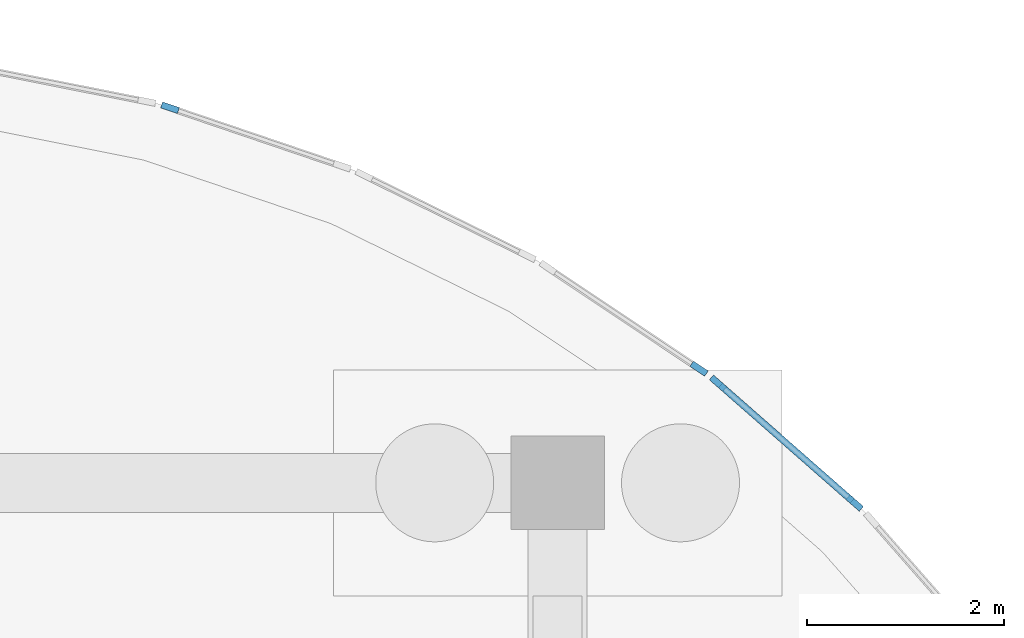
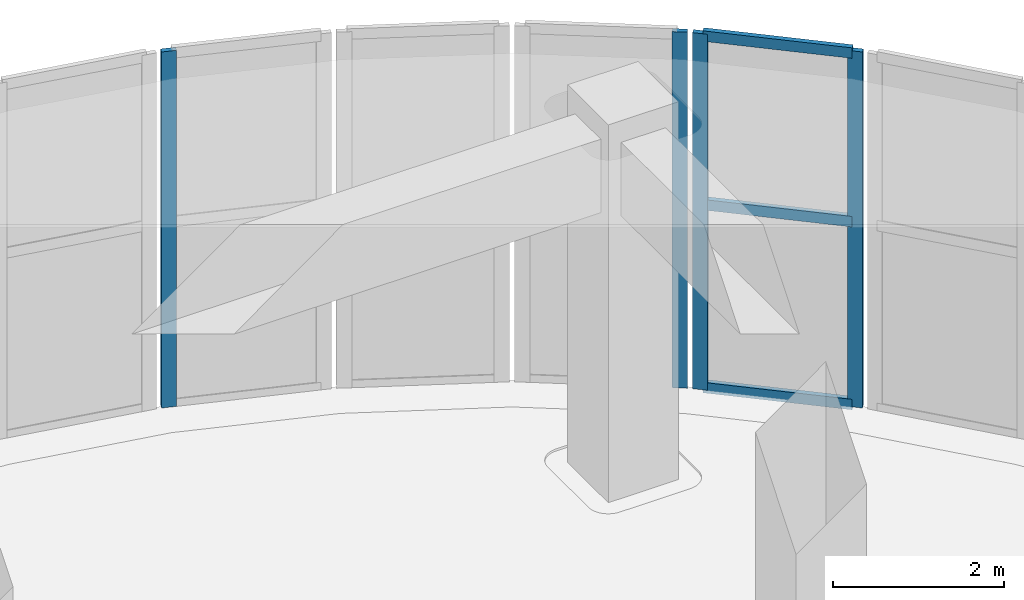
# One storey, part 19 of 74: 7 members, 3 elements without a shape of their own.
"""IFC4 building model written with IfcOpenShell, lengths in metres."""

import ifcopenshell
import ifcopenshell.guid

model = None  # the IFC model being written
_history = None  # IfcOwnerHistory: only IFC2X3 demands one
_inside = {}  # id of a spatial element -> (the spatial element, [elements in it])
_under = {}  # id of a project, library or spatial element -> (it, [spatial elements below it])
_declared = {}  # id of a project -> (the project, [libraries it declares])
_typed = {}  # id of a type object -> (the type object, [elements of that type])
_made_of = {}  # id of a material, layer set ... -> (it, [elements and type objects made of it])


def new_model(schema):
    """Start an empty IFC model of exactly this schema.

    Asked for "IFC4X3", IfcOpenShell would pick the latest addendum, in which some entities
    have other attributes; the version numbers below select the first issue.
    IFC2X3 requires an IfcOwnerHistory on every rooted entity: one is made here for all.
    """
    global model, _history
    if schema == "IFC4X3":
        model = ifcopenshell.file(schema_version=(4, 3, 0, 0))
    else:
        model = ifcopenshell.file(schema=schema)
    _inside.clear()
    _under.clear()
    _declared.clear()
    _typed.clear()
    _made_of.clear()
    _history = None
    if model.schema == "IFC2X3":
        org = make("IfcOrganization", Name="unknown")
        user = make(
            "IfcPersonAndOrganization",
            ThePerson=make("IfcPerson", FamilyName="unknown"),
            TheOrganization=org,
        )
        app = make(
            "IfcApplication",
            ApplicationDeveloper=org,
            Version="unknown",
            ApplicationFullName="unknown",
            ApplicationIdentifier="unknown",
        )
        _history = make(
            "IfcOwnerHistory",
            OwningUser=user,
            OwningApplication=app,
            ChangeAction="ADDED",
            CreationDate=0,
        )
    return model


def make(cls, **values):
    """One entity of the class cls with the attributes given. An attribute that is None is left unset."""
    return model.create_entity(
        cls, **{name: value for name, value in values.items() if value is not None}
    )


def rooted(cls, **values):
    """An entity with a GlobalId (a new one), such as an element, a storey or a relation."""
    return make(cls, GlobalId=ifcopenshell.guid.new(), OwnerHistory=_history, **values)


def si_unit(unit_type, name, prefix=None):
    """IfcSIUnit, for example si_unit("LENGTHUNIT", "METRE", prefix="MILLI")."""
    return make("IfcSIUnit", UnitType=unit_type, Prefix=prefix, Name=name)


def assignment(units):
    """IfcUnitAssignment: the units of a project."""
    return None if units is None else make("IfcUnitAssignment", Units=units)


def point(xyz):
    """IfcCartesianPoint."""
    return None if xyz is None else make("IfcCartesianPoint", Coordinates=xyz)


def direction(xyz):
    """IfcDirection."""
    return None if xyz is None else make("IfcDirection", DirectionRatios=xyz)


def frame(location, z_axis=None, x_axis=None):
    """IfcAxis2Placement3D, a coordinate frame: its origin and axes. An axis left out is left unset."""
    return make(
        "IfcAxis2Placement3D",
        Location=point(location),
        Axis=direction(z_axis),
        RefDirection=direction(x_axis),
    )


def frame_2d(location, x_axis=None):
    """IfcAxis2Placement2D, a coordinate frame in the plane: its origin and x axis."""
    return make(
        "IfcAxis2Placement2D", Location=point(location), RefDirection=direction(x_axis)
    )


def origin():
    """The frame at (0, 0, 0) with its axes left unset."""
    return frame((0.0, 0.0, 0.0))


def origin_2d():
    """The frame at (0, 0) in the plane with its x axis left unset."""
    return frame_2d((0.0, 0.0))


def place(relative_to, where):
    """IfcLocalPlacement: puts the frame where relative to a parent placement (None: the world)."""
    return make(
        "IfcLocalPlacement", PlacementRelTo=relative_to, RelativePlacement=where
    )


def context(
    kind, dimensions, precision=None, world=None, true_north=None, identifier=None
):
    """IfcGeometricRepresentationContext, for example the 3D "Model" context."""
    return make(
        "IfcGeometricRepresentationContext",
        ContextIdentifier=identifier,
        ContextType=kind,
        CoordinateSpaceDimension=dimensions,
        Precision=precision,
        WorldCoordinateSystem=world,
        TrueNorth=true_north,
    )


def subcontext(parent, identifier, kind, view, scale=None):
    """IfcGeometricRepresentationSubContext, for example "Body" below "Model"."""
    return make(
        "IfcGeometricRepresentationSubContext",
        ContextIdentifier=identifier,
        ContextType=kind,
        ParentContext=parent,
        TargetScale=scale,
        TargetView=view,
    )


def project(units=None, contexts=None):
    """IfcProject with its units and contexts."""
    return rooted(
        "IfcProject",
        Name="project",
        RepresentationContexts=contexts,
        UnitsInContext=assignment(units),
    )


def spatial(cls, under=None, at=None, **own):
    """A site, building, storey or space (cls), placed at a placement, below another one or the project."""
    s = rooted(cls, ObjectPlacement=at, **own)
    if under is not None:
        _under.setdefault(under.id(), (under, []))[1].append(s)
    return s


def profile(cls, at=None, kind="AREA", **sizes):
    """A parametric profile (cls). Its sizes go by their IFC names, for example OverallWidth=200.0."""
    return make(cls, ProfileType=kind, Position=at, **sizes)


def rectangle(**sizes):
    """IfcRectangleProfileDef."""
    return profile("IfcRectangleProfileDef", **sizes)


def extrude(swept, where, along, depth):
    """IfcExtrudedAreaSolid: the profile swept, set in the frame where, extruded along a direction by depth."""
    return make(
        "IfcExtrudedAreaSolid",
        SweptArea=swept,
        Position=where,
        ExtrudedDirection=direction(along),
        Depth=depth,
    )


def shape(context_of_items, identifier, shape_type, items):
    """IfcShapeRepresentation: the items that make up one representation, for example the "Body"."""
    return make(
        "IfcShapeRepresentation",
        ContextOfItems=context_of_items,
        RepresentationIdentifier=identifier,
        RepresentationType=shape_type,
        Items=items,
    )


def material(Name=None, Category=None):
    """IfcMaterial."""
    return make("IfcMaterial", Name=Name, Category=Category)


def layer(
    of_material, thickness, ventilated=None, Name=None, Category=None, Priority=None
):
    """IfcMaterialLayer: one layer of a wall or slab, of a material (None: an air gap)."""
    return make(
        "IfcMaterialLayer",
        Material=of_material,
        LayerThickness=thickness,
        IsVentilated=ventilated,
        Name=Name,
        Category=Category,
        Priority=Priority,
    )


def layer_set(layers, Name=None):
    """IfcMaterialLayerSet."""
    return make("IfcMaterialLayerSet", MaterialLayers=layers, LayerSetName=Name)


def material_profile(
    of_material, cross_section, Name=None, Category=None, Priority=None
):
    """IfcMaterialProfile: a cross section and its material."""
    return make(
        "IfcMaterialProfile",
        Name=Name,
        Material=of_material,
        Profile=cross_section,
        Priority=Priority,
        Category=Category,
    )


def profile_set(profiles, Name=None, composite=None):
    """IfcMaterialProfileSet."""
    return make(
        "IfcMaterialProfileSet",
        Name=Name,
        MaterialProfiles=profiles,
        CompositeProfile=composite,
    )


def made_of(thing, what):
    """Note that an element or type object is made of a material, layer set ...; save() writes the relation."""
    if what is not None:
        _made_of.setdefault(what.id(), (what, []))[1].append(thing)
    return thing


def type_object(cls, material=None, **own):
    """A type object (cls), such as IfcWallType, which elements share."""
    return made_of(rooted(cls, **own), material)


def element(
    cls,
    number,
    at=None,
    inside=None,
    cuts=None,
    type_object=None,
    material=None,
    context=None,
    identifier="Body",
    shape_type=None,
    held_by="IfcProductDefinitionShape",
    body=None,
    shapes=None,
    **own,
):
    """One element of the class cls, such as IfcWall. Its Tag is "e" and its number.

    at: its placement. inside: the storey or other place that contains it. cuts: it is an
    opening in that element (IfcRelVoidsElement). A single representation is given by context,
    identifier, shape_type and body (its items); several are given by shapes. held_by: the class
    of the entity that holds the representations. save() writes the other relations.
    """
    e = rooted(cls, Tag="e%d" % number, ObjectPlacement=at, **own)
    if body is not None:
        shapes = [shape(context, identifier, shape_type, body)]
    if shapes is not None:
        e.Representation = make(held_by, Representations=shapes)
    if inside is not None:
        _inside.setdefault(inside.id(), (inside, []))[1].append(e)
    if cuts is not None:
        rooted(
            "IfcRelVoidsElement", RelatingBuildingElement=cuts, RelatedOpeningElement=e
        )
    if type_object is not None:
        _typed.setdefault(type_object.id(), (type_object, []))[1].append(e)
    return made_of(e, material)


def aggregate(whole, parts):
    """IfcRelAggregates: a whole, such as a stair, and the parts it consists of."""
    return rooted("IfcRelAggregates", RelatingObject=whole, RelatedObjects=parts)


def save(model, path):
    """Write the relations noted so far, then the file.

    IfcRelAggregates (storeys below a building ...), IfcRelContainedInSpatialStructure (elements
    in a storey), IfcRelDefinesByType, IfcRelAssociatesMaterial and IfcRelDeclares: one each for
    every whole, place, type object, material and project.
    """
    for whole, parts in _under.values():
        aggregate(whole, parts)
    for where, things in _inside.values():
        rooted(
            "IfcRelContainedInSpatialStructure",
            RelatedElements=things,
            RelatingStructure=where,
        )
    for kind, things in _typed.values():
        rooted("IfcRelDefinesByType", RelatedObjects=things, RelatingType=kind)
    for what, things in _made_of.values():
        rooted("IfcRelAssociatesMaterial", RelatedObjects=things, RelatingMaterial=what)
    for by, libraries in _declared.values():
        rooted("IfcRelDeclares", RelatingContext=by, RelatedDefinitions=libraries)
    model.write(path)


model = new_model("IFC4")

# Units and contexts
model_context = context("Model", 3, precision=1e-05, world=origin(), true_north=direction((0.0, 1.0)))
body_context = subcontext(model_context, "Body", "Model", "MODEL_VIEW")
ifc_project = project(units=[si_unit("LENGTHUNIT", "METRE"), si_unit("AREAUNIT", "SQUARE_METRE"), si_unit("VOLUMEUNIT", "CUBIC_METRE"), si_unit("PLANEANGLEUNIT", "RADIAN"), si_unit("MASSUNIT", "GRAM", prefix="KILO")], contexts=[model_context])

# Site, building, storey
site_placement = place(None, origin())
site = spatial("IfcSite", under=ifc_project, at=site_placement, CompositionType="ELEMENT")
building_placement = place(site_placement, origin())
building = spatial("IfcBuilding", under=site, at=building_placement, Name="Cendralis Terraced Arcade", CompositionType="ELEMENT")
storey_placement = place(building_placement, origin())
storey = spatial("IfcBuildingStorey", under=building, at=storey_placement, Name="L00", CompositionType="ELEMENT", Elevation=0.0)

# Curtain wall, member
ifc_material = material(Name="Anodised aluminium EN AW-6063 T6", Category="aluminium")
ifc_layer = layer(ifc_material, 0.179931640625, Name="CW-UNIT-A")
ifc_layer_set = layer_set([ifc_layer], Name="Anodised aluminium EN AW-6063 T6")
curtain_wall_type = type_object("IfcCurtainWallType", Name="CW-UNIT-A", PredefinedType="USERDEFINED", material=ifc_layer_set)
curtain_wall_1_placement = place(storey_placement, origin())
curtain_wall_1 = element("IfcCurtainWall", 1, at=curtain_wall_1_placement, inside=storey, type_object=curtain_wall_type, Name="Exterior Unitised Facade CW-L00-0027", ObjectType="UNITISED FACADE", PredefinedType="USERDEFINED")
ifc_material_profile_1 = material_profile(ifc_material, rectangle(XDim=0.06494140625, YDim=0.179931640625, at=origin_2d()), Name="ALU-MUL-65x180")
ifc_profile_set_1 = profile_set([ifc_material_profile_1], Name="Anodised aluminium EN AW-6063 T6")
member_type_1 = type_object("IfcMemberType", Name="CW-UNIT-A-MUL", PredefinedType="MULLION", material=ifc_profile_set_1)
member_1_placement = place(storey_placement, frame((162.257080078125, 115.41552734375, 0.0), z_axis=(0.0, 0.0, 1.0), x_axis=(0.321445350645, 0.94692813167, 0.0)))
member_1 = element("IfcMember", 2, at=member_1_placement, type_object=member_type_1, Name="CW-U1 mullion 1", PredefinedType="MULLION", context=body_context, shape_type="SweptSolid", body=[
    extrude(rectangle(XDim=0.06494140625, YDim=0.179931640625, at=origin_2d()), origin(), (0.0, 0.0, 1.0), 5.090087890625),
])
aggregate(curtain_wall_1, [member_1])

curtain_wall_2_placement = place(storey_placement, origin())
curtain_wall_2 = element("IfcCurtainWall", 3, at=curtain_wall_2_placement, inside=storey, type_object=curtain_wall_type, Name="Exterior Unitised Facade CW-L00-0029", ObjectType="UNITISED FACADE", PredefinedType="USERDEFINED")
member_2_placement = place(storey_placement, frame((167.638427734375, 112.76171875, 0.0), z_axis=(0.0, 0.0, 1.0), x_axis=(0.555532306305, 0.831494952872, 0.0)))
member_2 = element("IfcMember", 4, at=member_2_placement, type_object=member_type_1, Name="CW-U1 mullion 2", PredefinedType="MULLION", context=body_context, shape_type="SweptSolid", body=[
    extrude(rectangle(XDim=0.06494140625, YDim=0.179931640625, at=origin_2d()), origin(), (0.0, 0.0, 1.0), 5.090087890625),
])
aggregate(curtain_wall_2, [member_2])

# Curtain wall, members
curtain_wall_3_placement = place(storey_placement, origin())
curtain_wall_3 = element("IfcCurtainWall", 5, at=curtain_wall_3_placement, inside=storey, type_object=curtain_wall_type, Name="Exterior Unitised Facade CW-L00-0030", ObjectType="UNITISED FACADE", PredefinedType="USERDEFINED")
member_3_placement = place(storey_placement, frame((167.832275390625, 112.613037109375, 0.0), z_axis=(0.0, 0.0, 1.0), x_axis=(0.659410866, 0.751782754392, 0.0)))
member_3 = element("IfcMember", 6, at=member_3_placement, type_object=member_type_1, Name="CW-U1 mullion 1", PredefinedType="MULLION", context=body_context, shape_type="SweptSolid", body=[
    extrude(rectangle(XDim=0.06494140625, YDim=0.179931640625, at=origin_2d()), origin(), (0.0, 0.0, 1.0), 5.090087890625),
])
member_4_placement = place(storey_placement, frame((169.2216796875, 111.39453125, 0.0), z_axis=(0.0, 0.0, 1.0), x_axis=(0.659410866, 0.751782754392, 0.0)))
member_4 = element("IfcMember", 7, at=member_4_placement, type_object=member_type_1, Name="CW-U1 mullion 2", PredefinedType="MULLION", context=body_context, shape_type="SweptSolid", body=[
    extrude(rectangle(XDim=0.06494140625, YDim=0.179931640625, at=origin_2d()), origin(), (0.0, 0.0, 1.0), 5.090087890625),
])
ifc_material_profile_2 = material_profile(ifc_material, rectangle(XDim=0.06494140625, YDim=0.14990234375, at=origin_2d()), Name="ALU-TRN-65x150")
ifc_profile_set_2 = profile_set([ifc_material_profile_2], Name="Anodised aluminium EN AW-6063 T6")
member_type_2 = type_object("IfcMemberType", Name="CW-UNIT-A-TRN", PredefinedType="USERDEFINED", material=ifc_profile_set_2)
member_5_placement = place(storey_placement, frame((167.856689453125, 112.591552734375, 0.032470703125), z_axis=(0.751744821878, -0.659454109684, 0.0), x_axis=(0.659454109684, 0.751744821878, 0.0)))
member_5 = element("IfcMember", 8, at=member_5_placement, type_object=member_type_2, Name="CW-U1 transom 1.1", ObjectType="TRANSOM", PredefinedType="USERDEFINED", context=body_context, shape_type="SweptSolid", body=[
    extrude(rectangle(XDim=0.06494140625, YDim=0.14990234375, at=origin_2d()), origin(), (0.0, 0.0, 1.0), 1.782958984375),
])
member_6_placement = place(storey_placement, frame((167.856689453125, 112.591552734375, 2.646728515625), z_axis=(0.751744821878, -0.659454109684, 0.0), x_axis=(0.659454109684, 0.751744821878, 0.0)))
member_6 = element("IfcMember", 9, at=member_6_placement, type_object=member_type_2, Name="CW-U1 transom 1.2", ObjectType="TRANSOM", PredefinedType="USERDEFINED", context=body_context, shape_type="SweptSolid", body=[
    extrude(rectangle(XDim=0.06494140625, YDim=0.14990234375, at=origin_2d()), origin(), (0.0, 0.0, 1.0), 1.782958984375),
])
member_7_placement = place(storey_placement, frame((167.856689453125, 112.591552734375, 5.0576171875), z_axis=(0.751744821878, -0.659454109684, 0.0), x_axis=(0.659454109684, 0.751744821878, 0.0)))
member_7 = element("IfcMember", 10, at=member_7_placement, type_object=member_type_2, Name="CW-U1 transom 1.3", ObjectType="TRANSOM", PredefinedType="USERDEFINED", context=body_context, shape_type="SweptSolid", body=[
    extrude(rectangle(XDim=0.06494140625, YDim=0.14990234375, at=origin_2d()), origin(), (0.0, 0.0, 1.0), 1.782958984375),
])
aggregate(curtain_wall_3, [member_3, member_4, member_5, member_6, member_7])

save(model, "model.ifc")
